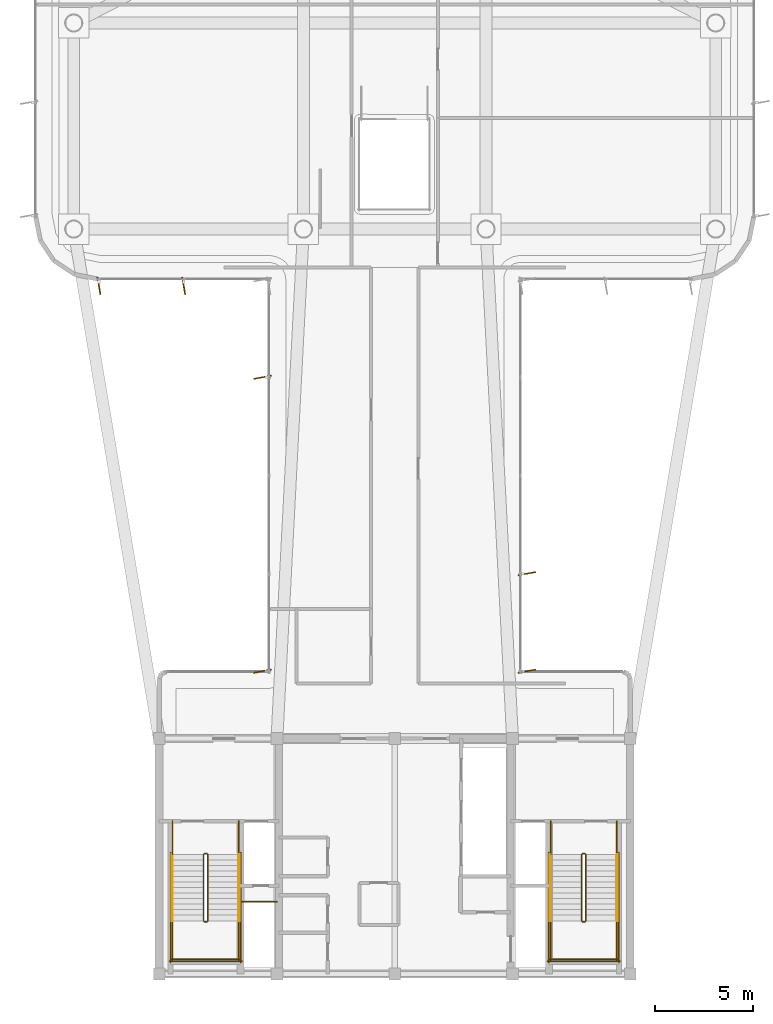
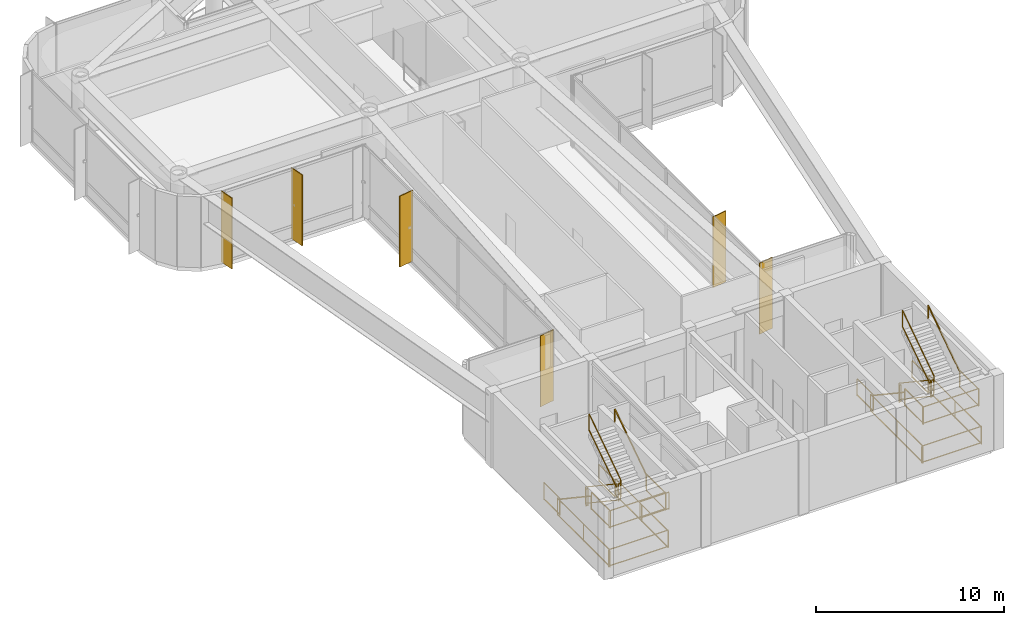
# One storey, part 12 of 13: 29 railings, 6 shading devices.
"""IFC4 building model written with IfcOpenShell, lengths in metres."""

from ifc_helpers import new_model, si_unit, direction, frame, origin, origin_2d, place, context, subcontext, project, spatial, rectangle, extrude, source, transform, mapped, material, layer, layer_set, material_profile, profile_set, type_object, element, save


model = new_model("IFC4")

# Units and contexts
model_context = context("Model", 3, precision=1e-05, world=origin(), true_north=direction((0.0, 1.0)))
body_context = subcontext(model_context, "Body", "Model", "MODEL_VIEW")
ifc_project = project(units=[si_unit("LENGTHUNIT", "METRE"), si_unit("AREAUNIT", "SQUARE_METRE"), si_unit("VOLUMEUNIT", "CUBIC_METRE"), si_unit("PLANEANGLEUNIT", "RADIAN"), si_unit("MASSUNIT", "GRAM", prefix="KILO")], contexts=[model_context])

# Site, building, storey
site_placement = place(None, origin())
site = spatial("IfcSite", under=ifc_project, at=site_placement, CompositionType="ELEMENT")
building_placement = place(site_placement, origin())
building = spatial("IfcBuilding", under=site, at=building_placement, Name="Brelvock Crest Care Tower", CompositionType="ELEMENT")
storey_placement = place(building_placement, frame((0.0, 0.0, 291.06005859375)))
storey = spatial("IfcBuildingStorey", under=building, at=storey_placement, Name="L74", CompositionType="ELEMENT", Elevation=291.06005859375)

# Railings
ifc_material_1 = material(Name="Steel Grade 350", Category="steel")
ifc_layer_1 = layer(ifc_material_1, 0.050048828125, Name="RL-STG1")
ifc_layer_set_1 = layer_set([ifc_layer_1], Name="Steel Grade 350")
railing_type_1 = type_object("IfcRailingType", Name="RL-STG1", PredefinedType="GUARDRAIL", material=ifc_layer_set_1)
railing_1_placement = place(storey_placement, frame((26.260009765625, 12.080078125, 0.186767578125)))
element("IfcRailing", 1, at=railing_1_placement, inside=storey, type_object=railing_type_1, Name="L74 ST-1 stair guard 1", PredefinedType="GUARDRAIL", context=body_context, shape_type="SweptSolid", body=[
    extrude(rectangle(XDim=0.048095703125, YDim=0.048095703125, at=origin_2d()), frame((0.0, -0.001708984375, 1.116943359375), z_axis=(0.0, -0.831696843039, 0.555230007545), x_axis=(1.0, 0.0, 0.0)), (0.0, 0.0, 1.0), 4.0361328125),
    extrude(rectangle(XDim=0.048095703125, YDim=0.048095703125, at=origin_2d()), frame((0.0, -0.001708984375, 0.05615234375), z_axis=(0.0, -0.831696843039, 0.555230007545), x_axis=(1.0, 0.0, 0.0)), (0.0, 0.0, 1.0), 4.0361328125),
    extrude(rectangle(XDim=0.0419921875, YDim=0.0419921875, at=origin_2d()), origin(), (0.0, 0.0, 1.0), 1.08984375),
    extrude(rectangle(XDim=0.0419921875, YDim=0.0419921875, at=origin_2d()), frame((0.0, -3.360107421875, 2.2431640625)), (0.0, 0.0, 1.0), 1.08984375),
])
railing_2_placement = place(storey_placement, frame((26.31005859375, 8.669921875, 2.429931640625)))
element("IfcRailing", 2, at=railing_2_placement, inside=storey, type_object=railing_type_1, Name="L74 ST-1 stair guard 2", PredefinedType="GUARDRAIL", context=body_context, shape_type="SweptSolid", body=[
    extrude(rectangle(XDim=0.048095703125, YDim=0.048095703125, at=origin_2d()), frame((0.001953125, 0.0, 1.11572265625), z_axis=(1.0, 0.0, 0.0), x_axis=(0.0, 1.0, 0.0)), (0.0, 0.0, 1.0), 0.115966796875),
    extrude(rectangle(XDim=0.048095703125, YDim=0.048095703125, at=origin_2d()), frame((0.001953125, 0.0, 0.054931640625), z_axis=(1.0, 0.0, 0.0), x_axis=(0.0, 1.0, 0.0)), (0.0, 0.0, 1.0), 0.115966796875),
    extrude(rectangle(XDim=0.0419921875, YDim=0.0419921875, at=origin_2d()), origin(), (0.0, 0.0, 1.0), 1.08984375),
    extrude(rectangle(XDim=0.0419921875, YDim=0.0419921875, at=origin_2d()), frame((0.119873046875, 0.0, 0.0)), (0.0, 0.0, 1.0), 1.08984375),
])
for number, where, name in (
    (3, (24.679931640625, 8.719970703125, 2.429931640625), "L74 ST-1 stair guard 3"),
    (4, (28.06005859375, 8.719970703125, 2.429931640625), "L74 ST-1 stair guard 4"),
):
    element("IfcRailing", number, at=place(storey_placement, frame(where)), inside=storey, type_object=railing_type_1, Name=name, PredefinedType="GUARDRAIL", context=body_context, shape_type="SweptSolid", body=[
        extrude(rectangle(XDim=0.048095703125, YDim=0.048095703125, at=origin_2d()), frame((0.0, -0.001953125, 1.11572265625), z_axis=(0.0, -1.0, 0.0), x_axis=(1.0, 0.0, 0.0)), (0.0, 0.0, 1.0), 2.01611328125),
        extrude(rectangle(XDim=0.048095703125, YDim=0.048095703125, at=origin_2d()), frame((0.0, -0.001953125, 0.054931640625), z_axis=(0.0, -1.0, 0.0), x_axis=(1.0, 0.0, 0.0)), (0.0, 0.0, 1.0), 2.01611328125),
        extrude(rectangle(XDim=0.0419921875, YDim=0.0419921875, at=origin_2d()), origin(), (0.0, 0.0, 1.0), 1.08984375),
        extrude(rectangle(XDim=0.0419921875, YDim=0.0419921875, at=origin_2d()), frame((0.0, -2.02001953125, 0.0)), (0.0, 0.0, 1.0), 1.08984375),
    ])
railing_3_placement = place(storey_placement, frame((24.6298828125, 6.75, 2.429931640625)))
element("IfcRailing", 5, at=railing_3_placement, inside=storey, type_object=railing_type_1, Name="L74 ST-1 stair guard 5", PredefinedType="GUARDRAIL", context=body_context, shape_type="SweptSolid", body=[
    extrude(rectangle(XDim=0.048095703125, YDim=0.048095703125, at=origin_2d()), frame((0.001953125, 0.0, 1.11572265625), z_axis=(1.0, 0.0, 0.0), x_axis=(0.0, 1.0, 0.0)), (0.0, 0.0, 1.0), 3.476318359375),
    extrude(rectangle(XDim=0.048095703125, YDim=0.048095703125, at=origin_2d()), frame((0.001953125, 0.0, 0.054931640625), z_axis=(1.0, 0.0, 0.0), x_axis=(0.0, 1.0, 0.0)), (0.0, 0.0, 1.0), 3.476318359375),
    extrude(rectangle(XDim=0.0419921875, YDim=0.0419921875, at=origin_2d()), origin(), (0.0, 0.0, 1.0), 1.08984375),
    extrude(rectangle(XDim=0.0419921875, YDim=0.0419921875, at=origin_2d()), frame((3.480224609375, 0.0, 0.0)), (0.0, 0.0, 1.0), 1.08984375),
])
railing_4_placement = place(storey_placement, frame((26.47998046875, 8.719970703125, 2.616943359375)))
element("IfcRailing", 6, at=railing_4_placement, inside=storey, type_object=railing_type_1, Name="L74 ST-1 stair guard 6", PredefinedType="GUARDRAIL", context=body_context, shape_type="SweptSolid", body=[
    extrude(rectangle(XDim=0.048095703125, YDim=0.048095703125, at=origin_2d()), frame((0.0, 0.001708984375, 1.116943359375), z_axis=(0.0, 0.831724748433, 0.555188204886), x_axis=(-1.0, 0.0, 0.0)), (0.0, 0.0, 1.0), 4.035888671875),
    extrude(rectangle(XDim=0.048095703125, YDim=0.048095703125, at=origin_2d()), frame((0.0, 0.001708984375, 0.05615234375), z_axis=(0.0, 0.831724748433, 0.555188204886), x_axis=(-1.0, 0.0, 0.0)), (0.0, 0.0, 1.0), 4.035888671875),
    extrude(rectangle(XDim=0.0419921875, YDim=0.0419921875, at=origin_2d()), origin(), (0.0, 0.0, 1.0), 1.08984375),
    extrude(rectangle(XDim=0.0419921875, YDim=0.0419921875, at=origin_2d()), frame((0.0, 3.360107421875, 2.242919921875)), (0.0, 0.0, 1.0), 1.08984375),
])
railing_5_placement = place(storey_placement, frame((26.31005859375, 12.1298828125, 0.0)))
element("IfcRailing", 7, at=railing_5_placement, inside=storey, type_object=railing_type_1, Name="L74 ST-1 stair guard 7", PredefinedType="GUARDRAIL", context=body_context, shape_type="SweptSolid", body=[
    extrude(rectangle(XDim=0.048095703125, YDim=0.048095703125, at=origin_2d()), frame((0.001953125, 0.0, 1.11572265625), z_axis=(1.0, 0.0, 0.0), x_axis=(0.0, 1.0, 0.0)), (0.0, 0.0, 1.0), 0.115966796875),
    extrude(rectangle(XDim=0.048095703125, YDim=0.048095703125, at=origin_2d()), frame((0.001953125, 0.0, 0.054931640625), z_axis=(1.0, 0.0, 0.0), x_axis=(0.0, 1.0, 0.0)), (0.0, 0.0, 1.0), 0.115966796875),
    extrude(rectangle(XDim=0.0419921875, YDim=0.0419921875, at=origin_2d()), origin(), (0.0, 0.0, 1.0), 1.08984375),
    extrude(rectangle(XDim=0.0419921875, YDim=0.0419921875, at=origin_2d()), frame((0.119873046875, 0.0, 0.0)), (0.0, 0.0, 1.0), 1.08984375),
])
for number, where, name in (
    (8, (24.679931640625, 13.780029296875, 0.0), "L74 ST-1 stair guard 8"),
    (9, (28.06005859375, 13.780029296875, 0.0), "L74 ST-1 stair guard 9"),
):
    element("IfcRailing", number, at=place(storey_placement, frame(where)), inside=storey, type_object=railing_type_1, Name=name, PredefinedType="GUARDRAIL", context=body_context, shape_type="SweptSolid", body=[
        extrude(rectangle(XDim=0.048095703125, YDim=0.048095703125, at=origin_2d()), frame((0.0, -0.001953125, 1.11572265625), z_axis=(0.0, -1.0, 0.0), x_axis=(1.0, 0.0, 0.0)), (0.0, 0.0, 1.0), 1.696044921875),
        extrude(rectangle(XDim=0.048095703125, YDim=0.048095703125, at=origin_2d()), frame((0.0, -0.001953125, 0.054931640625), z_axis=(0.0, -1.0, 0.0), x_axis=(1.0, 0.0, 0.0)), (0.0, 0.0, 1.0), 1.696044921875),
        extrude(rectangle(XDim=0.0419921875, YDim=0.0419921875, at=origin_2d()), origin(), (0.0, 0.0, 1.0), 1.08984375),
        extrude(rectangle(XDim=0.0419921875, YDim=0.0419921875, at=origin_2d()), frame((0.0, -1.699951171875, 0.0)), (0.0, 0.0, 1.0), 1.08984375),
    ])
for number, where, name in (
    (10, (24.580078125, 12.179931640625, 0.0), "L74 ST-1 stair guard 10"),
    (11, (28.159912109375, 12.179931640625, 0.0), "L74 ST-1 stair guard 11"),
):
    element("IfcRailing", number, at=place(storey_placement, frame(where)), inside=storey, type_object=railing_type_1, Name=name, PredefinedType="GUARDRAIL", context=body_context, shape_type="SweptSolid", body=[
        extrude(rectangle(XDim=0.048095703125, YDim=0.048095703125, at=origin_2d()), frame((0.0, -0.001953125, 1.11572265625), z_axis=(0.0, -1.0, 0.0), x_axis=(1.0, 0.0, 0.0)), (0.0, 0.0, 1.0), 5.575927734375),
        extrude(rectangle(XDim=0.048095703125, YDim=0.048095703125, at=origin_2d()), frame((0.0, -0.001953125, 0.054931640625), z_axis=(0.0, -1.0, 0.0), x_axis=(1.0, 0.0, 0.0)), (0.0, 0.0, 1.0), 5.575927734375),
        extrude(rectangle(XDim=0.0419921875, YDim=0.0419921875, at=origin_2d()), origin(), (0.0, 0.0, 1.0), 1.08984375),
        extrude(rectangle(XDim=0.0419921875, YDim=0.0419921875, at=origin_2d()), frame((0.0, -2.7900390625, 0.0)), (0.0, 0.0, 1.0), 1.08984375),
        extrude(rectangle(XDim=0.0419921875, YDim=0.0419921875, at=origin_2d()), frame((0.0, -5.579833984375, 0.0)), (0.0, 0.0, 1.0), 1.08984375),
    ])
railing_6_placement = place(storey_placement, frame((24.530029296875, 6.64990234375, 0.0)))
element("IfcRailing", 12, at=railing_6_placement, inside=storey, type_object=railing_type_1, Name="L74 ST-1 stair guard 12", PredefinedType="GUARDRAIL", context=body_context, shape_type="SweptSolid", body=[
    extrude(rectangle(XDim=0.048095703125, YDim=0.048095703125, at=origin_2d()), frame((0.001953125, 0.0, 1.11572265625), z_axis=(1.0, 0.0, 0.0), x_axis=(0.0, 1.0, 0.0)), (0.0, 0.0, 1.0), 3.676025390625),
    extrude(rectangle(XDim=0.048095703125, YDim=0.048095703125, at=origin_2d()), frame((0.001953125, 0.0, 0.054931640625), z_axis=(1.0, 0.0, 0.0), x_axis=(0.0, 1.0, 0.0)), (0.0, 0.0, 1.0), 3.676025390625),
    extrude(rectangle(XDim=0.0419921875, YDim=0.0419921875, at=origin_2d()), origin(), (0.0, 0.0, 1.0), 1.08984375),
    extrude(rectangle(XDim=0.0419921875, YDim=0.0419921875, at=origin_2d()), frame((3.679931640625, 0.0, 0.0)), (0.0, 0.0, 1.0), 1.08984375),
])
railing_7_placement = place(storey_placement, frame((45.52001953125, 12.080078125, 0.186767578125)))
element("IfcRailing", 13, at=railing_7_placement, inside=storey, type_object=railing_type_1, Name="L74 ST-2 stair guard 1", PredefinedType="GUARDRAIL", context=body_context, shape_type="SweptSolid", body=[
    extrude(rectangle(XDim=0.048095703125, YDim=0.048095703125, at=origin_2d()), frame((0.0, -0.001708984375, 1.116943359375), z_axis=(0.0, -0.831696843039, 0.555230007545), x_axis=(1.0, 0.0, 0.0)), (0.0, 0.0, 1.0), 4.0361328125),
    extrude(rectangle(XDim=0.048095703125, YDim=0.048095703125, at=origin_2d()), frame((0.0, -0.001708984375, 0.05615234375), z_axis=(0.0, -0.831696843039, 0.555230007545), x_axis=(1.0, 0.0, 0.0)), (0.0, 0.0, 1.0), 4.0361328125),
    extrude(rectangle(XDim=0.0419921875, YDim=0.0419921875, at=origin_2d()), origin(), (0.0, 0.0, 1.0), 1.08984375),
    extrude(rectangle(XDim=0.0419921875, YDim=0.0419921875, at=origin_2d()), frame((0.0, -3.360107421875, 2.2431640625)), (0.0, 0.0, 1.0), 1.08984375),
])
railing_8_placement = place(storey_placement, frame((45.570068359375, 8.669921875, 2.429931640625)))
element("IfcRailing", 14, at=railing_8_placement, inside=storey, type_object=railing_type_1, Name="L74 ST-2 stair guard 2", PredefinedType="GUARDRAIL", context=body_context, shape_type="SweptSolid", body=[
    extrude(rectangle(XDim=0.048095703125, YDim=0.048095703125, at=origin_2d()), frame((0.001953125, 0.0, 1.11572265625), z_axis=(1.0, 0.0, 0.0), x_axis=(0.0, 1.0, 0.0)), (0.0, 0.0, 1.0), 0.115966796875),
    extrude(rectangle(XDim=0.048095703125, YDim=0.048095703125, at=origin_2d()), frame((0.001953125, 0.0, 0.054931640625), z_axis=(1.0, 0.0, 0.0), x_axis=(0.0, 1.0, 0.0)), (0.0, 0.0, 1.0), 0.115966796875),
    extrude(rectangle(XDim=0.0419921875, YDim=0.0419921875, at=origin_2d()), origin(), (0.0, 0.0, 1.0), 1.08984375),
    extrude(rectangle(XDim=0.0419921875, YDim=0.0419921875, at=origin_2d()), frame((0.119873046875, 0.0, 0.0)), (0.0, 0.0, 1.0), 1.08984375),
])
for number, where, name in (
    (15, (43.93994140625, 8.719970703125, 2.429931640625), "L74 ST-2 stair guard 3"),
    (16, (47.320068359375, 8.719970703125, 2.429931640625), "L74 ST-2 stair guard 4"),
):
    element("IfcRailing", number, at=place(storey_placement, frame(where)), inside=storey, type_object=railing_type_1, Name=name, PredefinedType="GUARDRAIL", context=body_context, shape_type="SweptSolid", body=[
        extrude(rectangle(XDim=0.048095703125, YDim=0.048095703125, at=origin_2d()), frame((0.0, -0.001953125, 1.11572265625), z_axis=(0.0, -1.0, 0.0), x_axis=(1.0, 0.0, 0.0)), (0.0, 0.0, 1.0), 2.01611328125),
        extrude(rectangle(XDim=0.048095703125, YDim=0.048095703125, at=origin_2d()), frame((0.0, -0.001953125, 0.054931640625), z_axis=(0.0, -1.0, 0.0), x_axis=(1.0, 0.0, 0.0)), (0.0, 0.0, 1.0), 2.01611328125),
        extrude(rectangle(XDim=0.0419921875, YDim=0.0419921875, at=origin_2d()), origin(), (0.0, 0.0, 1.0), 1.08984375),
        extrude(rectangle(XDim=0.0419921875, YDim=0.0419921875, at=origin_2d()), frame((0.0, -2.02001953125, 0.0)), (0.0, 0.0, 1.0), 1.08984375),
    ])
railing_9_placement = place(storey_placement, frame((43.889892578125, 6.75, 2.429931640625)))
element("IfcRailing", 17, at=railing_9_placement, inside=storey, type_object=railing_type_1, Name="L74 ST-2 stair guard 5", PredefinedType="GUARDRAIL", context=body_context, shape_type="SweptSolid", body=[
    extrude(rectangle(XDim=0.048095703125, YDim=0.048095703125, at=origin_2d()), frame((0.001953125, 0.0, 1.11572265625), z_axis=(1.0, 0.0, 0.0), x_axis=(0.0, 1.0, 0.0)), (0.0, 0.0, 1.0), 3.476318359375),
    extrude(rectangle(XDim=0.048095703125, YDim=0.048095703125, at=origin_2d()), frame((0.001953125, 0.0, 0.054931640625), z_axis=(1.0, 0.0, 0.0), x_axis=(0.0, 1.0, 0.0)), (0.0, 0.0, 1.0), 3.476318359375),
    extrude(rectangle(XDim=0.0419921875, YDim=0.0419921875, at=origin_2d()), origin(), (0.0, 0.0, 1.0), 1.08984375),
    extrude(rectangle(XDim=0.0419921875, YDim=0.0419921875, at=origin_2d()), frame((3.480224609375, 0.0, 0.0)), (0.0, 0.0, 1.0), 1.08984375),
])
railing_10_placement = place(storey_placement, frame((45.739990234375, 8.719970703125, 2.616943359375)))
element("IfcRailing", 18, at=railing_10_placement, inside=storey, type_object=railing_type_1, Name="L74 ST-2 stair guard 6", PredefinedType="GUARDRAIL", context=body_context, shape_type="SweptSolid", body=[
    extrude(rectangle(XDim=0.048095703125, YDim=0.048095703125, at=origin_2d()), frame((0.0, 0.001708984375, 1.116943359375), z_axis=(0.0, 0.831724748433, 0.555188204886), x_axis=(-1.0, 0.0, 0.0)), (0.0, 0.0, 1.0), 4.035888671875),
    extrude(rectangle(XDim=0.048095703125, YDim=0.048095703125, at=origin_2d()), frame((0.0, 0.001708984375, 0.05615234375), z_axis=(0.0, 0.831724748433, 0.555188204886), x_axis=(-1.0, 0.0, 0.0)), (0.0, 0.0, 1.0), 4.035888671875),
    extrude(rectangle(XDim=0.0419921875, YDim=0.0419921875, at=origin_2d()), origin(), (0.0, 0.0, 1.0), 1.08984375),
    extrude(rectangle(XDim=0.0419921875, YDim=0.0419921875, at=origin_2d()), frame((0.0, 3.360107421875, 2.242919921875)), (0.0, 0.0, 1.0), 1.08984375),
])
railing_11_placement = place(storey_placement, frame((45.570068359375, 12.1298828125, 0.0)))
element("IfcRailing", 19, at=railing_11_placement, inside=storey, type_object=railing_type_1, Name="L74 ST-2 stair guard 7", PredefinedType="GUARDRAIL", context=body_context, shape_type="SweptSolid", body=[
    extrude(rectangle(XDim=0.048095703125, YDim=0.048095703125, at=origin_2d()), frame((0.001953125, 0.0, 1.11572265625), z_axis=(1.0, 0.0, 0.0), x_axis=(0.0, 1.0, 0.0)), (0.0, 0.0, 1.0), 0.115966796875),
    extrude(rectangle(XDim=0.048095703125, YDim=0.048095703125, at=origin_2d()), frame((0.001953125, 0.0, 0.054931640625), z_axis=(1.0, 0.0, 0.0), x_axis=(0.0, 1.0, 0.0)), (0.0, 0.0, 1.0), 0.115966796875),
    extrude(rectangle(XDim=0.0419921875, YDim=0.0419921875, at=origin_2d()), origin(), (0.0, 0.0, 1.0), 1.08984375),
    extrude(rectangle(XDim=0.0419921875, YDim=0.0419921875, at=origin_2d()), frame((0.119873046875, 0.0, 0.0)), (0.0, 0.0, 1.0), 1.08984375),
])
for number, where, name in (
    (20, (43.93994140625, 13.780029296875, 0.0), "L74 ST-2 stair guard 8"),
    (21, (47.320068359375, 13.780029296875, 0.0), "L74 ST-2 stair guard 9"),
):
    element("IfcRailing", number, at=place(storey_placement, frame(where)), inside=storey, type_object=railing_type_1, Name=name, PredefinedType="GUARDRAIL", context=body_context, shape_type="SweptSolid", body=[
        extrude(rectangle(XDim=0.048095703125, YDim=0.048095703125, at=origin_2d()), frame((0.0, -0.001953125, 1.11572265625), z_axis=(0.0, -1.0, 0.0), x_axis=(1.0, 0.0, 0.0)), (0.0, 0.0, 1.0), 1.696044921875),
        extrude(rectangle(XDim=0.048095703125, YDim=0.048095703125, at=origin_2d()), frame((0.0, -0.001953125, 0.054931640625), z_axis=(0.0, -1.0, 0.0), x_axis=(1.0, 0.0, 0.0)), (0.0, 0.0, 1.0), 1.696044921875),
        extrude(rectangle(XDim=0.0419921875, YDim=0.0419921875, at=origin_2d()), origin(), (0.0, 0.0, 1.0), 1.08984375),
        extrude(rectangle(XDim=0.0419921875, YDim=0.0419921875, at=origin_2d()), frame((0.0, -1.699951171875, 0.0)), (0.0, 0.0, 1.0), 1.08984375),
    ])
for number, where, name in (
    (22, (43.840087890625, 12.179931640625, 0.0), "L74 ST-2 stair guard 10"),
    (23, (47.419921875, 12.179931640625, 0.0), "L74 ST-2 stair guard 11"),
):
    element("IfcRailing", number, at=place(storey_placement, frame(where)), inside=storey, type_object=railing_type_1, Name=name, PredefinedType="GUARDRAIL", context=body_context, shape_type="SweptSolid", body=[
        extrude(rectangle(XDim=0.048095703125, YDim=0.048095703125, at=origin_2d()), frame((0.0, -0.001953125, 1.11572265625), z_axis=(0.0, -1.0, 0.0), x_axis=(1.0, 0.0, 0.0)), (0.0, 0.0, 1.0), 5.575927734375),
        extrude(rectangle(XDim=0.048095703125, YDim=0.048095703125, at=origin_2d()), frame((0.0, -0.001953125, 0.054931640625), z_axis=(0.0, -1.0, 0.0), x_axis=(1.0, 0.0, 0.0)), (0.0, 0.0, 1.0), 5.575927734375),
        extrude(rectangle(XDim=0.0419921875, YDim=0.0419921875, at=origin_2d()), origin(), (0.0, 0.0, 1.0), 1.08984375),
        extrude(rectangle(XDim=0.0419921875, YDim=0.0419921875, at=origin_2d()), frame((0.0, -2.7900390625, 0.0)), (0.0, 0.0, 1.0), 1.08984375),
        extrude(rectangle(XDim=0.0419921875, YDim=0.0419921875, at=origin_2d()), frame((0.0, -5.579833984375, 0.0)), (0.0, 0.0, 1.0), 1.08984375),
    ])
railing_12_placement = place(storey_placement, frame((43.7900390625, 6.64990234375, 0.0)))
element("IfcRailing", 24, at=railing_12_placement, inside=storey, type_object=railing_type_1, Name="L74 ST-2 stair guard 12", PredefinedType="GUARDRAIL", context=body_context, shape_type="SweptSolid", body=[
    extrude(rectangle(XDim=0.048095703125, YDim=0.048095703125, at=origin_2d()), frame((0.001953125, 0.0, 1.11572265625), z_axis=(1.0, 0.0, 0.0), x_axis=(0.0, 1.0, 0.0)), (0.0, 0.0, 1.0), 3.676025390625),
    extrude(rectangle(XDim=0.048095703125, YDim=0.048095703125, at=origin_2d()), frame((0.001953125, 0.0, 0.054931640625), z_axis=(1.0, 0.0, 0.0), x_axis=(0.0, 1.0, 0.0)), (0.0, 0.0, 1.0), 3.676025390625),
    extrude(rectangle(XDim=0.0419921875, YDim=0.0419921875, at=origin_2d()), origin(), (0.0, 0.0, 1.0), 1.08984375),
    extrude(rectangle(XDim=0.0419921875, YDim=0.0419921875, at=origin_2d()), frame((3.679931640625, 0.0, 0.0)), (0.0, 0.0, 1.0), 1.08984375),
])
railing_13_placement = place(storey_placement, frame((28.219970703125, 9.679931640625, 0.0)))
element("IfcRailing", 25, at=railing_13_placement, inside=storey, type_object=railing_type_1, Name="L74 Fire Riser Threshold Guard", PredefinedType="GUARDRAIL", context=body_context, shape_type="SweptSolid", body=[
    extrude(rectangle(XDim=0.048095703125, YDim=0.048095703125, at=origin_2d()), frame((0.001953125, 0.0, 1.11572265625), z_axis=(1.0, 0.0, 0.0), x_axis=(0.0, 1.0, 0.0)), (0.0, 0.0, 1.0), 1.776123046875),
    extrude(rectangle(XDim=0.048095703125, YDim=0.048095703125, at=origin_2d()), frame((0.001953125, 0.0, 0.054931640625), z_axis=(1.0, 0.0, 0.0), x_axis=(0.0, 1.0, 0.0)), (0.0, 0.0, 1.0), 1.776123046875),
    extrude(rectangle(XDim=0.0419921875, YDim=0.0419921875, at=origin_2d()), origin(), (0.0, 0.0, 1.0), 1.08984375),
    extrude(rectangle(XDim=0.0419921875, YDim=0.0419921875, at=origin_2d()), frame((1.780029296875, 0.0, 0.0)), (0.0, 0.0, 1.0), 1.08984375),
])
ifc_layer_2 = layer(ifc_material_1, 0.048095703125, Name="RL-STH1")
ifc_layer_set_2 = layer_set([ifc_layer_2], Name="Steel Grade 350")
railing_type_2 = type_object("IfcRailingType", Name="RL-STH1", PredefinedType="HANDRAIL", material=ifc_layer_set_2)
railing_14_placement = place(storey_placement, frame((24.679931640625, 12.080078125, 0.186767578125)))
element("IfcRailing", 26, at=railing_14_placement, inside=storey, type_object=railing_type_2, Name="L74 ST-1 stair handrail 1", PredefinedType="HANDRAIL", context=body_context, shape_type="SweptSolid", body=[
    extrude(rectangle(XDim=0.048095703125, YDim=0.048095703125, at=origin_2d()), frame((0.0, -0.001708984375, 0.876953125), z_axis=(0.0, -0.831696843039, 0.555230007545), x_axis=(1.0, 0.0, 0.0)), (0.0, 0.0, 1.0), 4.0361328125),
    extrude(rectangle(XDim=0.0419921875, YDim=0.0419921875, at=origin_2d()), origin(), (0.0, 0.0, 1.0), 0.849853515625),
    extrude(rectangle(XDim=0.0419921875, YDim=0.0419921875, at=origin_2d()), frame((0.0, -3.360107421875, 2.2431640625)), (0.0, 0.0, 1.0), 0.849853515625),
])
railing_15_placement = place(storey_placement, frame((28.06005859375, 8.719970703125, 2.616943359375)))
element("IfcRailing", 27, at=railing_15_placement, inside=storey, type_object=railing_type_2, Name="L74 ST-1 stair handrail 2", PredefinedType="HANDRAIL", context=body_context, shape_type="SweptSolid", body=[
    extrude(rectangle(XDim=0.048095703125, YDim=0.048095703125, at=origin_2d()), frame((0.0, 0.001708984375, 0.876953125), z_axis=(0.0, 0.831724748433, 0.555188204886), x_axis=(-1.0, 0.0, 0.0)), (0.0, 0.0, 1.0), 4.035888671875),
    extrude(rectangle(XDim=0.0419921875, YDim=0.0419921875, at=origin_2d()), origin(), (0.0, 0.0, 1.0), 0.849853515625),
    extrude(rectangle(XDim=0.0419921875, YDim=0.0419921875, at=origin_2d()), frame((0.0, 3.360107421875, 2.242919921875)), (0.0, 0.0, 1.0), 0.849853515625),
])
railing_16_placement = place(storey_placement, frame((43.93994140625, 12.080078125, 0.186767578125)))
element("IfcRailing", 28, at=railing_16_placement, inside=storey, type_object=railing_type_2, Name="L74 ST-2 stair handrail 1", PredefinedType="HANDRAIL", context=body_context, shape_type="SweptSolid", body=[
    extrude(rectangle(XDim=0.048095703125, YDim=0.048095703125, at=origin_2d()), frame((0.0, -0.001708984375, 0.876953125), z_axis=(0.0, -0.831696843039, 0.555230007545), x_axis=(1.0, 0.0, 0.0)), (0.0, 0.0, 1.0), 4.0361328125),
    extrude(rectangle(XDim=0.0419921875, YDim=0.0419921875, at=origin_2d()), origin(), (0.0, 0.0, 1.0), 0.849853515625),
    extrude(rectangle(XDim=0.0419921875, YDim=0.0419921875, at=origin_2d()), frame((0.0, -3.360107421875, 2.2431640625)), (0.0, 0.0, 1.0), 0.849853515625),
])
railing_17_placement = place(storey_placement, frame((47.320068359375, 8.719970703125, 2.616943359375)))
element("IfcRailing", 29, at=railing_17_placement, inside=storey, type_object=railing_type_2, Name="L74 ST-2 stair handrail 2", PredefinedType="HANDRAIL", context=body_context, shape_type="SweptSolid", body=[
    extrude(rectangle(XDim=0.048095703125, YDim=0.048095703125, at=origin_2d()), frame((0.0, 0.001708984375, 0.876953125), z_axis=(0.0, 0.831724748433, 0.555188204886), x_axis=(-1.0, 0.0, 0.0)), (0.0, 0.0, 1.0), 4.035888671875),
    extrude(rectangle(XDim=0.0419921875, YDim=0.0419921875, at=origin_2d()), origin(), (0.0, 0.0, 1.0), 0.849853515625),
    extrude(rectangle(XDim=0.0419921875, YDim=0.0419921875, at=origin_2d()), frame((0.0, 3.360107421875, 2.242919921875)), (0.0, 0.0, 1.0), 0.849853515625),
])

# Shading devices
ifc_material_2 = material(Name="Aluminium 6063-T6", Category="aluminium")
ifc_material_profile = material_profile(ifc_material_2, rectangle(XDim=0.054931640625, YDim=0.89990234375, at=origin_2d()), Name="FIN55x900")
ifc_profile_set = profile_set([ifc_material_profile], Name="Aluminium 6063-T6")
shading_device_type = type_object("IfcShadingDeviceType", Name="SHD-FIN1", PredefinedType="USERDEFINED", material=ifc_profile_set)
shared_shape = source(origin(), body_context, "Body", "SweptSolid", [
    extrude(rectangle(XDim=0.054931640625, YDim=0.89990234375, at=origin_2d()), origin(), (0.0, 0.0, 1.0), 4.60986328125),
])
for number, where, z_axis, x_axis, name in (
    (30, (42.739990234375, 26.39990234375, 0.0), (0.0, 0.0, 1.0), (0.173648177667, -0.984807753012, 0.0), "L74 Vertical Sunshade Fin E10-04"),
    (31, (42.739990234375, 21.4326171875, 0.0), (0.0, 0.0, 1.0), (0.173648177667, -0.984807753012, 0.0), "L74 Vertical Sunshade Fin E10-05"),
    (32, (29.260009765625, 21.4326171875, 0.0), (0.0, 0.0, 1.0), (-0.173648177667, 0.984807753012, 0.0), "L74 Vertical Sunshade Fin E24-01"),
    (33, (29.260009765625, 36.39990234375, 0.0), (0.0, 0.0, 1.0), (-0.173648177667, 0.984807753012, 0.0), "L74 Vertical Sunshade Fin E24-04"),
    (34, (25.25, 41.06005859375, 0.0), (0.0, 0.0, 1.0), (-0.984807753012, -0.173648177667, 0.0), "L74 Vertical Sunshade Fin E25-02"),
    (35, (20.9326171875, 41.06005859375, 0.0), (0.0, 0.0, 1.0), (-0.984807753012, -0.173648177667, 0.0), "L74 Vertical Sunshade Fin E25-03"),
):
    element("IfcShadingDevice", number, at=place(storey_placement, frame(where, z_axis=z_axis, x_axis=x_axis)), inside=storey, type_object=shading_device_type, Name=name, ObjectType="FIN", PredefinedType="USERDEFINED", context=body_context, shape_type="MappedRepresentation", body=[
        mapped(shared_shape, transform((0.0, 0.0, 0.0), x_axis=(1.0, 0.0, 0.0), y_axis=(0.0, 1.0, 0.0), z_axis=(0.0, 0.0, 1.0), scale=1.0)),
    ])

save(model, "model.ifc")
